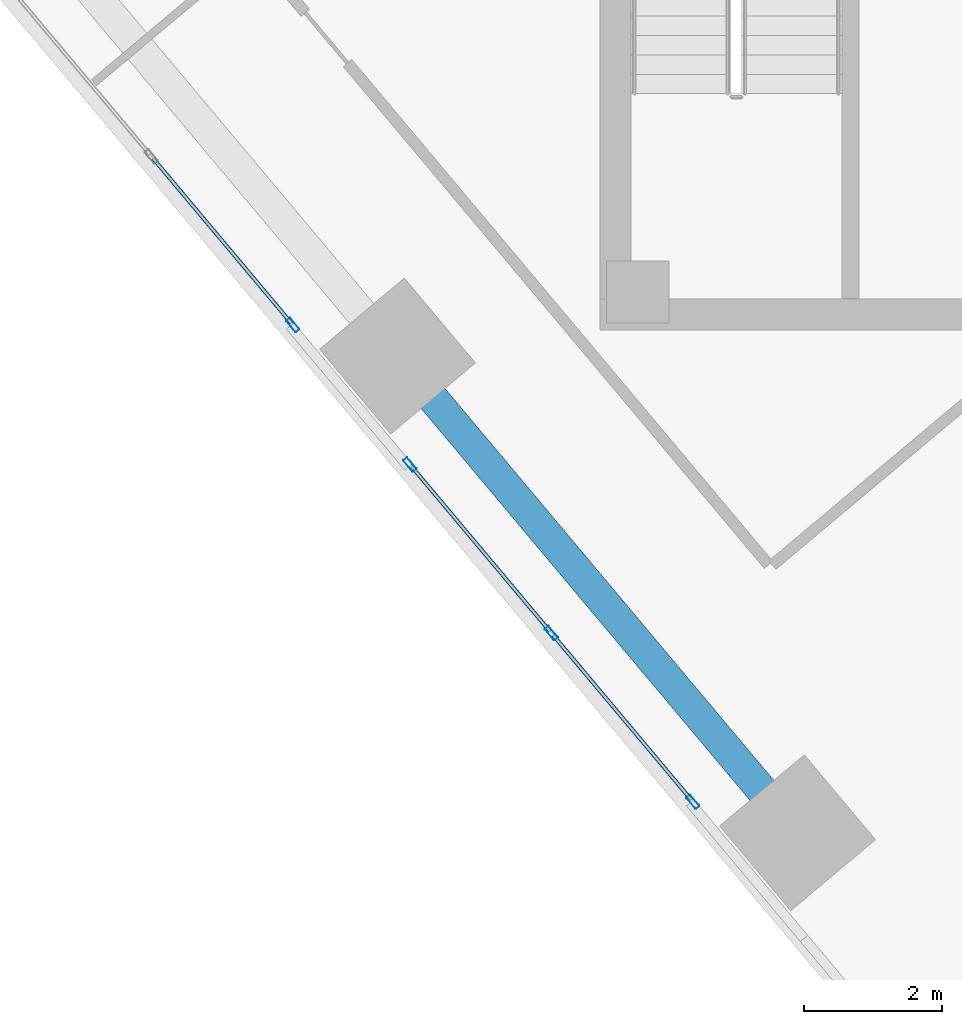
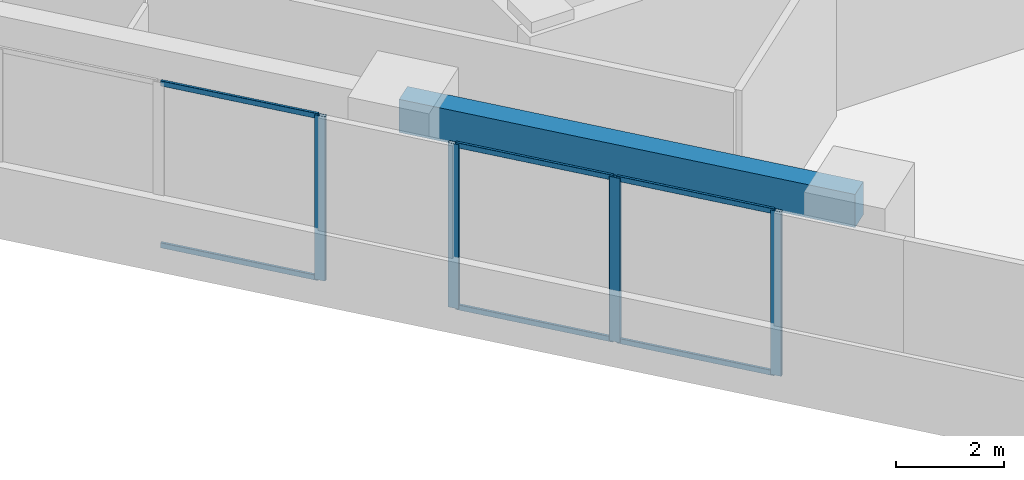
# One storey, part 2 of 17: 10 members, 1 beam, 2 elements without a shape of their own.
"""IFC4 building model written with IfcOpenShell, lengths in metres."""

from ifc_helpers import new_model, si_unit, direction, frame, origin, origin_2d, place, context, subcontext, project, spatial, rectangle, hollow_rectangle, extrude, source, transform, mapped, material, material_profile, profile_set, type_object, element, aggregate, save


model = new_model("IFC4")

# Units and contexts
model_context = context("Model", 3, precision=1e-05, world=origin(), true_north=direction((0.0, 1.0)))
body_context = subcontext(model_context, "Body", "Model", "MODEL_VIEW")
ifc_project = project(units=[si_unit("LENGTHUNIT", "METRE"), si_unit("AREAUNIT", "SQUARE_METRE"), si_unit("VOLUMEUNIT", "CUBIC_METRE"), si_unit("PLANEANGLEUNIT", "RADIAN"), si_unit("MASSUNIT", "GRAM", prefix="KILO")], contexts=[model_context])

# Site, building, storey
site_placement = place(None, origin())
site = spatial("IfcSite", under=ifc_project, at=site_placement, CompositionType="ELEMENT")
building_placement = place(site_placement, origin())
building = spatial("IfcBuilding", under=site, at=building_placement, Name="Torre Montelarca", CompositionType="ELEMENT")
storey_placement = place(building_placement, frame((0.0, 0.0, 266.800048828125)))
storey = spatial("IfcBuildingStorey", under=building, at=storey_placement, Name="L60", CompositionType="ELEMENT", Elevation=266.800048828125)

# Beam
ifc_material_1 = material(Name="Concrete C55/67", Category="concrete")
ifc_material_profile_1 = material_profile(ifc_material_1, rectangle(XDim=0.449951171875, YDim=0.75, at=origin_2d()), Name="RCB450X750", Category="concrete")
ifc_profile_set_1 = profile_set([ifc_material_profile_1], Name="Concrete C55/67")
beam_type = type_object("IfcBeamType", Name="BM-SP-RC750-EXT", PredefinedType="SPANDREL", material=ifc_profile_set_1)
shared_shape_1 = source(origin(), body_context, "Body", "SweptSolid", [
    extrude(rectangle(XDim=0.449951171875, YDim=0.75, at=origin_2d()), origin(), (0.0, 0.0, 1.0), 9.000244140625),
])
beam_placement = place(storey_placement, frame((6.07421875, 23.625244140625, 3.5849609375), z_axis=(0.642784846501, -0.766046761698, 0.0), x_axis=(0.766046761698, 0.642784846501, 0.0)))
element("IfcBeam", 1, at=beam_placement, inside=storey, type_object=beam_type, Name="L60 Grid Girder X 18.0-27.0 at Y=14.8", PredefinedType="SPANDREL", context=body_context, shape_type="MappedRepresentation", body=[
    mapped(shared_shape_1, transform((0.0, 0.0, 0.0), scale=1.0)),
])

# Curtain wall, member
ifc_material_2 = material(Name="Insulated low-E laminated glass", Category="glass")
curtain_wall_type = type_object("IfcCurtainWallType", Name="CW-SYS-Z3", PredefinedType="USERDEFINED", material=ifc_material_2)
curtain_wall_1_placement = place(storey_placement, origin())
curtain_wall_1 = element("IfcCurtainWall", 2, at=curtain_wall_1_placement, inside=storey, type_object=curtain_wall_type, Name="L60 Curtain Wall Run CW-T3-L60-E01-B1", ObjectType="UNITISED GLAZING", PredefinedType="USERDEFINED")
ifc_material_3 = material(Name="Anodised aluminium AA 6063-T6", Category="aluminium")
ifc_material_profile_2 = material_profile(ifc_material_3, hollow_rectangle(XDim=0.074951171875, YDim=0.219970703125, WallThickness=0.0048828125, InnerFilletRadius=0.0048828125, OuterFilletRadius=0.010009765625, at=origin_2d()), Name="ALU75X220X5", Category="aluminium")
ifc_profile_set_2 = profile_set([ifc_material_profile_2], Name="Anodised aluminium AA 6063-T6")
member_type_1 = type_object("IfcMemberType", Name="CWM-ALU220", PredefinedType="MULLION", material=ifc_profile_set_2)
shared_shape_2 = source(origin(), body_context, "Body", "SweptSolid", [
    extrude(hollow_rectangle(XDim=0.074951171875, YDim=0.219970703125, WallThickness=0.0048828125, InnerFilletRadius=0.0048828125, OuterFilletRadius=0.010009765625, at=origin_2d()), origin(), (0.0, 0.0, 1.0), 3.719970703125),
])
member_1_placement = place(storey_placement, frame((4.56103515625, 24.0751953125, 0.0), z_axis=(0.0, 0.0, 1.0), x_axis=(0.766039106979, 0.642793968997, 0.0)))
member_1 = element("IfcMember", 3, at=member_1_placement, type_object=member_type_1, Name="CW mullion 3", PredefinedType="MULLION", context=body_context, shape_type="MappedRepresentation", body=[
    mapped(shared_shape_2, transform((0.0, 0.0, 0.0), scale=1.0)),
])

# Curtain wall, members
curtain_wall_2_placement = place(storey_placement, origin())
curtain_wall_2 = element("IfcCurtainWall", 4, at=curtain_wall_2_placement, inside=storey, type_object=curtain_wall_type, Name="L60 Curtain Wall Run CW-T3-L60-E01-B2", ObjectType="UNITISED GLAZING", PredefinedType="USERDEFINED")
member_2_placement = place(storey_placement, frame((6.254638671875, 22.056640625, 0.0), z_axis=(0.0, 0.0, 1.0), x_axis=(0.766039106979, 0.642793968997, 0.0)))
member_2 = element("IfcMember", 5, at=member_2_placement, type_object=member_type_1, Name="CW mullion 1", PredefinedType="MULLION", context=body_context, shape_type="MappedRepresentation", body=[
    mapped(shared_shape_2, transform((0.0, 0.0, 0.0), scale=1.0)),
])
member_3_placement = place(storey_placement, frame((8.30029296875, 19.61865234375, 0.0), z_axis=(0.0, 0.0, 1.0), x_axis=(0.766039106979, 0.642793968997, 0.0)))
member_3 = element("IfcMember", 6, at=member_3_placement, type_object=member_type_1, Name="CW mullion 2", PredefinedType="MULLION", context=body_context, shape_type="MappedRepresentation", body=[
    mapped(shared_shape_2, transform((0.0, 0.0, 0.0), scale=1.0)),
])
member_4_placement = place(storey_placement, frame((10.34619140625, 17.180908203125, 0.0), z_axis=(0.0, 0.0, 1.0), x_axis=(0.766039106979, 0.642793968997, 0.0)))
member_4 = element("IfcMember", 7, at=member_4_placement, type_object=member_type_1, Name="CW mullion 3", PredefinedType="MULLION", context=body_context, shape_type="MappedRepresentation", body=[
    mapped(shared_shape_2, transform((0.0, 0.0, 0.0), scale=1.0)),
])

# Member
ifc_material_profile_3 = material_profile(ifc_material_3, hollow_rectangle(XDim=0.054931640625, YDim=0.1201171875, WallThickness=0.00341796875, InnerFilletRadius=0.00341796875, OuterFilletRadius=0.007080078125, at=origin_2d()), Name="ALU55X120X3.5", Category="aluminium")
ifc_profile_set_3 = profile_set([ifc_material_profile_3], Name="Anodised aluminium AA 6063-T6")
member_type_2 = type_object("IfcMemberType", Name="CWT-ALU120", PredefinedType="USERDEFINED", material=ifc_profile_set_3)
shared_shape_3 = source(origin(), body_context, "Body", "SweptSolid", [
    extrude(hollow_rectangle(XDim=0.054931640625, YDim=0.1201171875, WallThickness=0.00341796875, InnerFilletRadius=0.00341796875, OuterFilletRadius=0.007080078125, at=origin_2d()), origin(), (0.0, 0.0, 1.0), 3.107421875),
])
member_5_placement = place(storey_placement, frame((2.539306640625, 26.484375, 0.02734375), z_axis=(0.642823505504, -0.766014321519, 0.0), x_axis=(0.766014321519, 0.642823505504, 0.0)))
member_5 = element("IfcMember", 8, at=member_5_placement, type_object=member_type_2, Name="CW transom 2.1", ObjectType="TRANSOM", PredefinedType="USERDEFINED", context=body_context, shape_type="MappedRepresentation", body=[
    mapped(shared_shape_3, transform((0.0, 0.0, 0.0), scale=1.0)),
])

member_6_placement = place(storey_placement, frame((2.539306640625, 26.484375, 3.6923828125), z_axis=(0.642823505504, -0.766014321519, 0.0), x_axis=(0.766014321519, 0.642823505504, 0.0)))
member_6 = element("IfcMember", 9, at=member_6_placement, type_object=member_type_2, Name="CW transom 2.2", ObjectType="TRANSOM", PredefinedType="USERDEFINED", context=body_context, shape_type="MappedRepresentation", body=[
    mapped(shared_shape_3, transform((0.0, 0.0, 0.0), scale=1.0)),
])

aggregate(curtain_wall_1, [member_1, member_5, member_6])

member_7_placement = place(storey_placement, frame((6.27880859375, 22.02783203125, 0.02734375), z_axis=(0.642823505504, -0.766014321519, 0.0), x_axis=(0.766014321519, 0.642823505504, 0.0)))
member_7 = element("IfcMember", 10, at=member_7_placement, type_object=member_type_2, Name="CW transom 1.1", ObjectType="TRANSOM", PredefinedType="USERDEFINED", context=body_context, shape_type="MappedRepresentation", body=[
    mapped(shared_shape_3, transform((0.0, 0.0, 0.0), scale=1.0)),
])

member_8_placement = place(storey_placement, frame((6.27880859375, 22.02783203125, 3.6923828125), z_axis=(0.642823505504, -0.766014321519, 0.0), x_axis=(0.766014321519, 0.642823505504, 0.0)))
member_8 = element("IfcMember", 11, at=member_8_placement, type_object=member_type_2, Name="CW transom 1.2", ObjectType="TRANSOM", PredefinedType="USERDEFINED", context=body_context, shape_type="MappedRepresentation", body=[
    mapped(shared_shape_3, transform((0.0, 0.0, 0.0), scale=1.0)),
])

shared_shape_4 = source(origin(), body_context, "Body", "SweptSolid", [
    extrude(hollow_rectangle(XDim=0.054931640625, YDim=0.1201171875, WallThickness=0.00341796875, InnerFilletRadius=0.00341796875, OuterFilletRadius=0.007080078125, at=origin_2d()), origin(), (0.0, 0.0, 1.0), 3.107666015625),
])
member_9_placement = place(storey_placement, frame((8.324462890625, 19.590087890625, 0.02734375), z_axis=(0.642784820381, -0.766046783615, 0.0), x_axis=(0.766046783615, 0.642784820381, 0.0)))
member_9 = element("IfcMember", 12, at=member_9_placement, type_object=member_type_2, Name="CW transom 2.1", ObjectType="TRANSOM", PredefinedType="USERDEFINED", context=body_context, shape_type="MappedRepresentation", body=[
    mapped(shared_shape_4, transform((0.0, 0.0, 0.0), scale=1.0)),
])

member_10_placement = place(storey_placement, frame((8.324462890625, 19.590087890625, 3.6923828125), z_axis=(0.642784820381, -0.766046783615, 0.0), x_axis=(0.766046783615, 0.642784820381, 0.0)))
member_10 = element("IfcMember", 13, at=member_10_placement, type_object=member_type_2, Name="CW transom 2.2", ObjectType="TRANSOM", PredefinedType="USERDEFINED", context=body_context, shape_type="MappedRepresentation", body=[
    mapped(shared_shape_4, transform((0.0, 0.0, 0.0), scale=1.0)),
])

aggregate(curtain_wall_2, [member_2, member_3, member_4, member_7, member_8, member_9, member_10])

save(model, "model.ifc")
